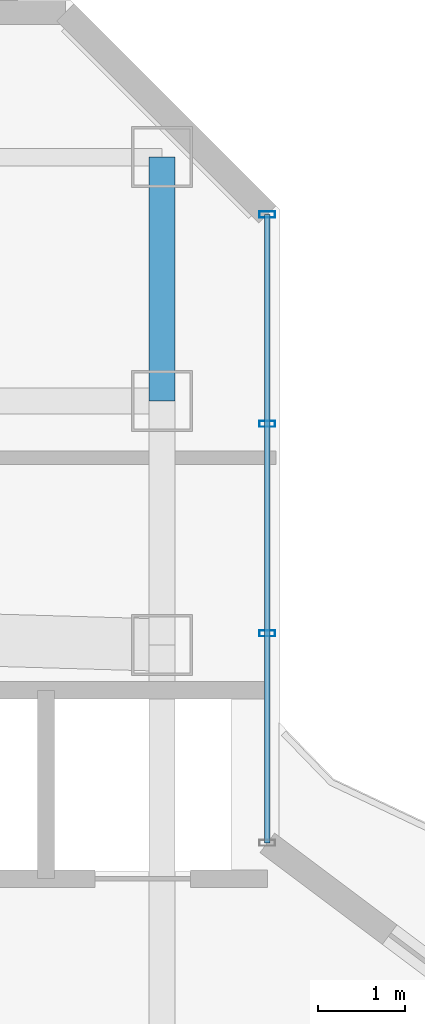
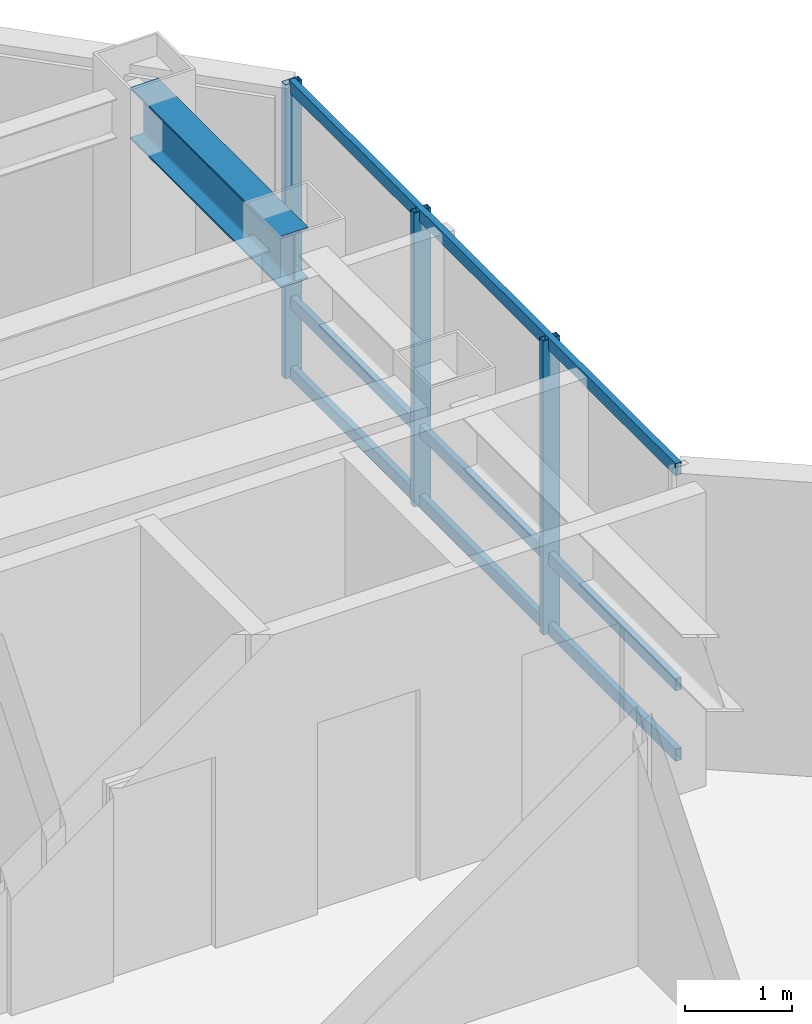
# One storey, part 17 of 26: 6 members, 1 beam, 1 element without a shape of its own.
"""IFC4 building model written with IfcOpenShell, lengths in metres."""

from ifc_helpers import new_model, si_unit, direction, frame, origin, origin_2d, place, context, subcontext, project, spatial, hollow_rectangle, i_section, extrude, material, layer, layer_set, material_profile, profile_set, type_object, element, aggregate, save


model = new_model("IFC4")

# Units and contexts
model_context = context("Model", 3, precision=1e-05, world=origin(), true_north=direction((0.0, 1.0)))
body_context = subcontext(model_context, "Body", "Model", "MODEL_VIEW")
ifc_project = project(units=[si_unit("LENGTHUNIT", "METRE"), si_unit("AREAUNIT", "SQUARE_METRE"), si_unit("VOLUMEUNIT", "CUBIC_METRE"), si_unit("PLANEANGLEUNIT", "RADIAN"), si_unit("MASSUNIT", "GRAM", prefix="KILO")], contexts=[model_context])

# Site, building, storey
site_placement = place(None, origin())
site = spatial("IfcSite", under=ifc_project, at=site_placement, CompositionType="ELEMENT")
building_placement = place(site_placement, origin())
building = spatial("IfcBuilding", under=site, at=building_placement, Name="Hatsunagi Terrace Concourse", CompositionType="ELEMENT")
storey_placement = place(building_placement, frame((0.0, 0.0, 227.550048828125)))
storey = spatial("IfcBuildingStorey", under=building, at=storey_placement, Name="L60", CompositionType="ELEMENT", Elevation=227.550048828125)

# Curtain wall, members
ifc_material_1 = material(Name="Anodised Aluminium Alloy 6063-T5", Category="aluminium")
ifc_layer = layer(ifc_material_1, 0.199951171875)
ifc_layer_set = layer_set([ifc_layer], Name="OfficeZone2_CW04")
curtain_wall_type = type_object("IfcCurtainWallType", Name="OfficeZone2_CW04", PredefinedType="NOTDEFINED", material=ifc_layer_set)
curtain_wall_placement = place(storey_placement, origin())
curtain_wall = element("IfcCurtainWall", 1, at=curtain_wall_placement, inside=storey, type_object=curtain_wall_type, Name="Unitised Curtain Wall CW-04 CW-L60-12", PredefinedType="NOTDEFINED")
ifc_material_2 = material(Name="Anodised Aluminium Alloy 6063-T5", Category="aluminium")
ifc_material_profile_1 = material_profile(ifc_material_2, hollow_rectangle(XDim=0.070068359375, YDim=0.179931640625, WallThickness=0.00390625, at=origin_2d()), Name="ALU-MUL-180x70x4")
ifc_profile_set_1 = profile_set([ifc_material_profile_1], Name="Anodised Aluminium Alloy 6063-T5")
member_type_1 = type_object("IfcMemberType", Name="CurtainWallMullion_180x70", PredefinedType="MULLION", material=ifc_profile_set_1)
member_1_placement = place(storey_placement, frame((44.860107421875, 47.94189453125, 0.0), z_axis=(0.0, 0.0, 1.0), x_axis=(0.0, -1.0, 0.0)))
member_1 = element("IfcMember", 2, at=member_1_placement, type_object=member_type_1, Name="Curtain Wall Mullion MUL-02", PredefinedType="MULLION", context=body_context, shape_type="SweptSolid", body=[
    extrude(hollow_rectangle(XDim=0.070068359375, YDim=0.179931640625, WallThickness=0.00390625, at=origin_2d()), origin(), (0.0, 0.0, 1.0), 3.349853515625),
])
member_2_placement = place(storey_placement, frame((44.860107421875, 45.5380859375, 0.0), z_axis=(0.0, 0.0, 1.0), x_axis=(0.0, -1.0, 0.0)))
member_2 = element("IfcMember", 3, at=member_2_placement, type_object=member_type_1, Name="Curtain Wall Mullion MUL-02", PredefinedType="MULLION", context=body_context, shape_type="SweptSolid", body=[
    extrude(hollow_rectangle(XDim=0.070068359375, YDim=0.179931640625, WallThickness=0.00390625, at=origin_2d()), origin(), (0.0, 0.0, 1.0), 3.349853515625),
])
member_3_placement = place(storey_placement, frame((44.860107421875, 43.134033203125, 0.0), z_axis=(0.0, 0.0, 1.0), x_axis=(0.0, -1.0, 0.0)))
member_3 = element("IfcMember", 4, at=member_3_placement, type_object=member_type_1, Name="Curtain Wall Mullion MUL-02", PredefinedType="MULLION", context=body_context, shape_type="SweptSolid", body=[
    extrude(hollow_rectangle(XDim=0.070068359375, YDim=0.179931640625, WallThickness=0.00390625, at=origin_2d()), origin(), (0.0, 0.0, 1.0), 3.349853515625),
])
ifc_material_3 = material(Name="Anodised Aluminium Alloy 6063-T5", Category="aluminium")
ifc_material_profile_2 = material_profile(ifc_material_3, hollow_rectangle(XDim=0.06494140625, YDim=0.139892578125, WallThickness=0.00390625, at=origin_2d()), Name="ALU-TRN-140x65x4")
ifc_profile_set_2 = profile_set([ifc_material_profile_2], Name="Anodised Aluminium Alloy 6063-T5")
member_type_2 = type_object("IfcMemberType", Name="CurtainWallTransom_140x65", PredefinedType="USERDEFINED", material=ifc_profile_set_2)
member_4_placement = place(storey_placement, frame((44.860107421875, 47.94189453125, 0.050048828125), z_axis=(0.0, -1.0, 0.0), x_axis=(1.0, 0.0, 0.0)))
member_4 = element("IfcMember", 5, at=member_4_placement, type_object=member_type_2, Name="Curtain Wall Transom TRN-02", ObjectType="TRANSOM", PredefinedType="USERDEFINED", context=body_context, shape_type="SweptSolid", body=[
    extrude(hollow_rectangle(XDim=0.06494140625, YDim=0.139892578125, WallThickness=0.00390625, at=origin_2d()), origin(), (0.0, 0.0, 1.0), 7.2119140625),
])
member_5_placement = place(storey_placement, frame((44.860107421875, 47.94189453125, 0.849853515625), z_axis=(0.0, -1.0, 0.0), x_axis=(1.0, 0.0, 0.0)))
member_5 = element("IfcMember", 6, at=member_5_placement, type_object=member_type_2, Name="Curtain Wall Transom TRN-02", ObjectType="TRANSOM", PredefinedType="USERDEFINED", context=body_context, shape_type="SweptSolid", body=[
    extrude(hollow_rectangle(XDim=0.06494140625, YDim=0.139892578125, WallThickness=0.00390625, at=origin_2d()), origin(), (0.0, 0.0, 1.0), 7.2119140625),
])
member_6_placement = place(storey_placement, frame((44.860107421875, 47.94189453125, 3.300048828125), z_axis=(0.0, -1.0, 0.0), x_axis=(1.0, 0.0, 0.0)))
member_6 = element("IfcMember", 7, at=member_6_placement, type_object=member_type_2, Name="Curtain Wall Transom TRN-02", ObjectType="TRANSOM", PredefinedType="USERDEFINED", context=body_context, shape_type="SweptSolid", body=[
    extrude(hollow_rectangle(XDim=0.06494140625, YDim=0.139892578125, WallThickness=0.00390625, at=origin_2d()), origin(), (0.0, 0.0, 1.0), 7.2119140625),
])
aggregate(curtain_wall, [member_1, member_2, member_3, member_4, member_5, member_6])

# Beam
ifc_material_4 = material(Name="Steel SN490B", Category="steel")
ifc_material_profile_3 = material_profile(ifc_material_4, i_section(OverallWidth=0.300048828125, OverallDepth=0.587890625, WebThickness=0.011962890625, FlangeThickness=0.02001953125, FilletRadius=0.01806640625, at=origin_2d()), Name="H-588x300x12x20")
ifc_profile_set_3 = profile_set([ifc_material_profile_3], Name="Steel SN490B")
beam_type = type_object("IfcBeamType", Name="OfficeHighGirder_H_588x300", PredefinedType="BEAM", material=ifc_profile_set_3)
beam_placement = place(storey_placement, frame((43.64990234375, 45.800048828125, 3.055908203125), z_axis=(0.0, 1.0, 0.0), x_axis=(-1.0, 0.0, 0.0)))
element("IfcBeam", 8, at=beam_placement, inside=storey, type_object=beam_type, Name="Beam G-06 BM-L60-KN-WN6", PredefinedType="BEAM", context=body_context, shape_type="SweptSolid", body=[
    extrude(i_section(OverallWidth=0.300048828125, OverallDepth=0.587890625, WebThickness=0.011962890625, FlangeThickness=0.02001953125, FilletRadius=0.01806640625, at=origin_2d()), origin(), (0.0, 0.0, 1.0), 2.800048828125),
])

save(model, "model.ifc")
